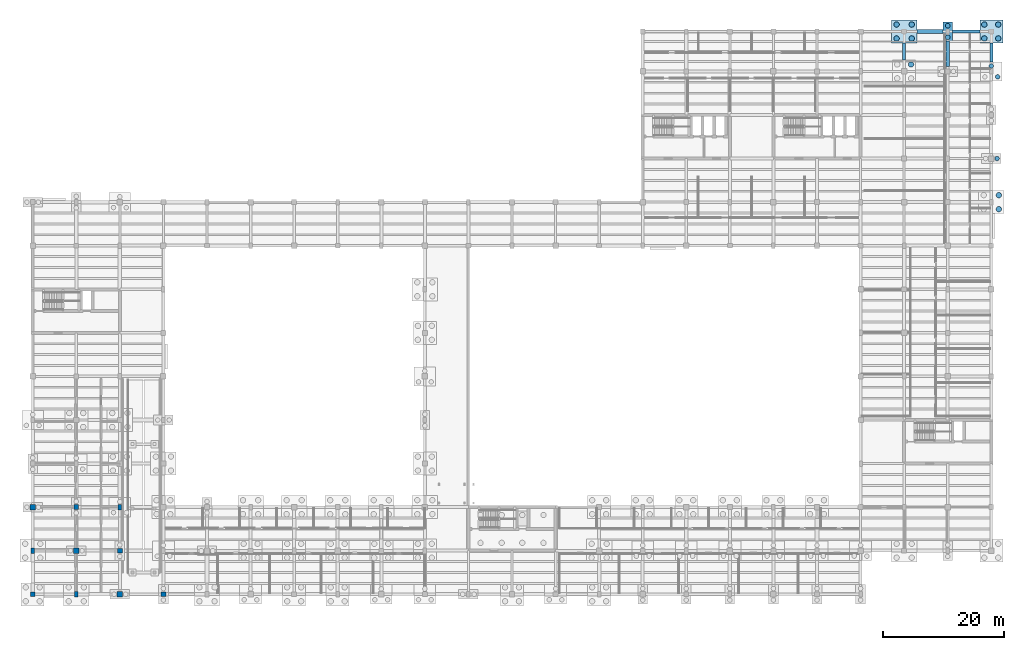
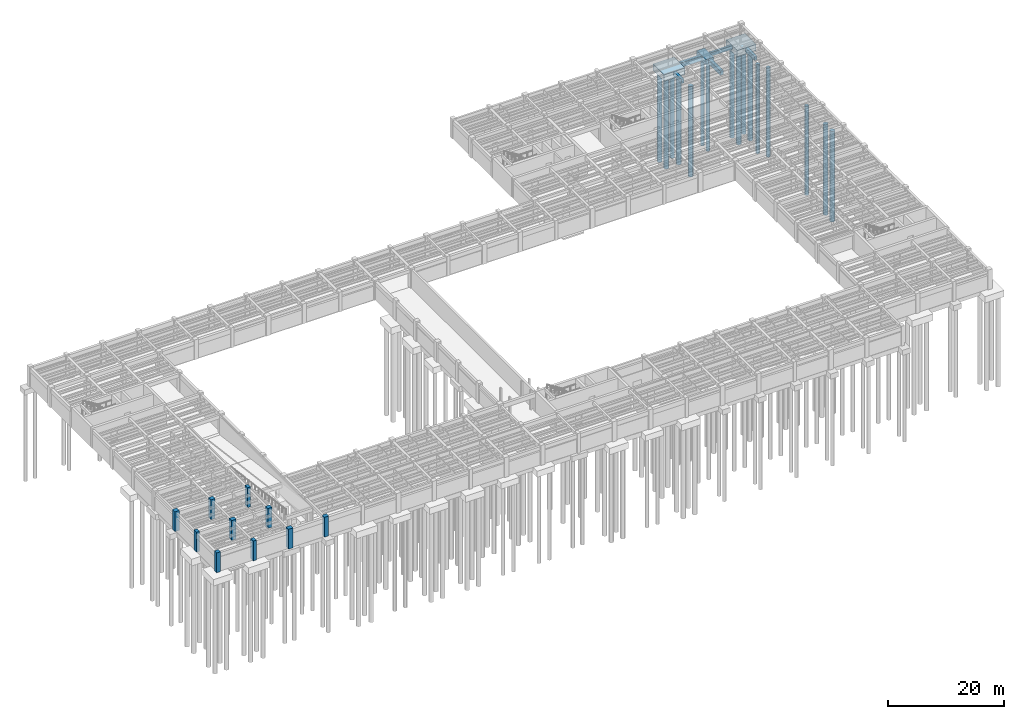
# One storey, part 4 of 33: 16 piles, 10 columns, 8 footings.
"""IFC4 building model written with IfcOpenShell, lengths in metres."""

import ifcopenshell
import ifcopenshell.guid

model = None  # the IFC model being written
_history = None  # IfcOwnerHistory: only IFC2X3 demands one
_inside = {}  # id of a spatial element -> (the spatial element, [elements in it])
_under = {}  # id of a project, library or spatial element -> (it, [spatial elements below it])
_declared = {}  # id of a project -> (the project, [libraries it declares])
_typed = {}  # id of a type object -> (the type object, [elements of that type])
_made_of = {}  # id of a material, layer set ... -> (it, [elements and type objects made of it])


def new_model(schema):
    """Start an empty IFC model of exactly this schema.

    Asked for "IFC4X3", IfcOpenShell would pick the latest addendum, in which some entities
    have other attributes; the version numbers below select the first issue.
    IFC2X3 requires an IfcOwnerHistory on every rooted entity: one is made here for all.
    """
    global model, _history
    if schema == "IFC4X3":
        model = ifcopenshell.file(schema_version=(4, 3, 0, 0))
    else:
        model = ifcopenshell.file(schema=schema)
    _inside.clear()
    _under.clear()
    _declared.clear()
    _typed.clear()
    _made_of.clear()
    _history = None
    if model.schema == "IFC2X3":
        org = make("IfcOrganization", Name="unknown")
        user = make(
            "IfcPersonAndOrganization",
            ThePerson=make("IfcPerson", FamilyName="unknown"),
            TheOrganization=org,
        )
        app = make(
            "IfcApplication",
            ApplicationDeveloper=org,
            Version="unknown",
            ApplicationFullName="unknown",
            ApplicationIdentifier="unknown",
        )
        _history = make(
            "IfcOwnerHistory",
            OwningUser=user,
            OwningApplication=app,
            ChangeAction="ADDED",
            CreationDate=0,
        )
    return model


def make(cls, **values):
    """One entity of the class cls with the attributes given. An attribute that is None is left unset."""
    return model.create_entity(
        cls, **{name: value for name, value in values.items() if value is not None}
    )


def rooted(cls, **values):
    """An entity with a GlobalId (a new one), such as an element, a storey or a relation."""
    return make(cls, GlobalId=ifcopenshell.guid.new(), OwnerHistory=_history, **values)


def si_unit(unit_type, name, prefix=None):
    """IfcSIUnit, for example si_unit("LENGTHUNIT", "METRE", prefix="MILLI")."""
    return make("IfcSIUnit", UnitType=unit_type, Prefix=prefix, Name=name)


def assignment(units):
    """IfcUnitAssignment: the units of a project."""
    return None if units is None else make("IfcUnitAssignment", Units=units)


def point(xyz):
    """IfcCartesianPoint."""
    return None if xyz is None else make("IfcCartesianPoint", Coordinates=xyz)


def direction(xyz):
    """IfcDirection."""
    return None if xyz is None else make("IfcDirection", DirectionRatios=xyz)


def frame(location, z_axis=None, x_axis=None):
    """IfcAxis2Placement3D, a coordinate frame: its origin and axes. An axis left out is left unset."""
    return make(
        "IfcAxis2Placement3D",
        Location=point(location),
        Axis=direction(z_axis),
        RefDirection=direction(x_axis),
    )


def frame_2d(location, x_axis=None):
    """IfcAxis2Placement2D, a coordinate frame in the plane: its origin and x axis."""
    return make(
        "IfcAxis2Placement2D", Location=point(location), RefDirection=direction(x_axis)
    )


def origin():
    """The frame at (0, 0, 0) with its axes left unset."""
    return frame((0.0, 0.0, 0.0))


def origin_2d():
    """The frame at (0, 0) in the plane with its x axis left unset."""
    return frame_2d((0.0, 0.0))


def place(relative_to, where):
    """IfcLocalPlacement: puts the frame where relative to a parent placement (None: the world)."""
    return make(
        "IfcLocalPlacement", PlacementRelTo=relative_to, RelativePlacement=where
    )


def context(
    kind, dimensions, precision=None, world=None, true_north=None, identifier=None
):
    """IfcGeometricRepresentationContext, for example the 3D "Model" context."""
    return make(
        "IfcGeometricRepresentationContext",
        ContextIdentifier=identifier,
        ContextType=kind,
        CoordinateSpaceDimension=dimensions,
        Precision=precision,
        WorldCoordinateSystem=world,
        TrueNorth=true_north,
    )


def subcontext(parent, identifier, kind, view, scale=None):
    """IfcGeometricRepresentationSubContext, for example "Body" below "Model"."""
    return make(
        "IfcGeometricRepresentationSubContext",
        ContextIdentifier=identifier,
        ContextType=kind,
        ParentContext=parent,
        TargetScale=scale,
        TargetView=view,
    )


def project(units=None, contexts=None):
    """IfcProject with its units and contexts."""
    return rooted(
        "IfcProject",
        Name="project",
        RepresentationContexts=contexts,
        UnitsInContext=assignment(units),
    )


def spatial(cls, under=None, at=None, **own):
    """A site, building, storey or space (cls), placed at a placement, below another one or the project."""
    s = rooted(cls, ObjectPlacement=at, **own)
    if under is not None:
        _under.setdefault(under.id(), (under, []))[1].append(s)
    return s


def profile(cls, at=None, kind="AREA", **sizes):
    """A parametric profile (cls). Its sizes go by their IFC names, for example OverallWidth=200.0."""
    return make(cls, ProfileType=kind, Position=at, **sizes)


def rectangle(**sizes):
    """IfcRectangleProfileDef."""
    return profile("IfcRectangleProfileDef", **sizes)


def circle(**sizes):
    """IfcCircleProfileDef."""
    return profile("IfcCircleProfileDef", **sizes)


def extrude(swept, where, along, depth):
    """IfcExtrudedAreaSolid: the profile swept, set in the frame where, extruded along a direction by depth."""
    return make(
        "IfcExtrudedAreaSolid",
        SweptArea=swept,
        Position=where,
        ExtrudedDirection=direction(along),
        Depth=depth,
    )


def shape(context_of_items, identifier, shape_type, items):
    """IfcShapeRepresentation: the items that make up one representation, for example the "Body"."""
    return make(
        "IfcShapeRepresentation",
        ContextOfItems=context_of_items,
        RepresentationIdentifier=identifier,
        RepresentationType=shape_type,
        Items=items,
    )


def material(Name=None, Category=None):
    """IfcMaterial."""
    return make("IfcMaterial", Name=Name, Category=Category)


def material_profile(
    of_material, cross_section, Name=None, Category=None, Priority=None
):
    """IfcMaterialProfile: a cross section and its material."""
    return make(
        "IfcMaterialProfile",
        Name=Name,
        Material=of_material,
        Profile=cross_section,
        Priority=Priority,
        Category=Category,
    )


def profile_set(profiles, Name=None, composite=None):
    """IfcMaterialProfileSet."""
    return make(
        "IfcMaterialProfileSet",
        Name=Name,
        MaterialProfiles=profiles,
        CompositeProfile=composite,
    )


def made_of(thing, what):
    """Note that an element or type object is made of a material, layer set ...; save() writes the relation."""
    if what is not None:
        _made_of.setdefault(what.id(), (what, []))[1].append(thing)
    return thing


def type_object(cls, material=None, **own):
    """A type object (cls), such as IfcWallType, which elements share."""
    return made_of(rooted(cls, **own), material)


def element(
    cls,
    number,
    at=None,
    inside=None,
    cuts=None,
    type_object=None,
    material=None,
    context=None,
    identifier="Body",
    shape_type=None,
    held_by="IfcProductDefinitionShape",
    body=None,
    shapes=None,
    **own,
):
    """One element of the class cls, such as IfcWall. Its Tag is "e" and its number.

    at: its placement. inside: the storey or other place that contains it. cuts: it is an
    opening in that element (IfcRelVoidsElement). A single representation is given by context,
    identifier, shape_type and body (its items); several are given by shapes. held_by: the class
    of the entity that holds the representations. save() writes the other relations.
    """
    e = rooted(cls, Tag="e%d" % number, ObjectPlacement=at, **own)
    if body is not None:
        shapes = [shape(context, identifier, shape_type, body)]
    if shapes is not None:
        e.Representation = make(held_by, Representations=shapes)
    if inside is not None:
        _inside.setdefault(inside.id(), (inside, []))[1].append(e)
    if cuts is not None:
        rooted(
            "IfcRelVoidsElement", RelatingBuildingElement=cuts, RelatedOpeningElement=e
        )
    if type_object is not None:
        _typed.setdefault(type_object.id(), (type_object, []))[1].append(e)
    return made_of(e, material)


def aggregate(whole, parts):
    """IfcRelAggregates: a whole, such as a stair, and the parts it consists of."""
    return rooted("IfcRelAggregates", RelatingObject=whole, RelatedObjects=parts)


def save(model, path):
    """Write the relations noted so far, then the file.

    IfcRelAggregates (storeys below a building ...), IfcRelContainedInSpatialStructure (elements
    in a storey), IfcRelDefinesByType, IfcRelAssociatesMaterial and IfcRelDeclares: one each for
    every whole, place, type object, material and project.
    """
    for whole, parts in _under.values():
        aggregate(whole, parts)
    for where, things in _inside.values():
        rooted(
            "IfcRelContainedInSpatialStructure",
            RelatedElements=things,
            RelatingStructure=where,
        )
    for kind, things in _typed.values():
        rooted("IfcRelDefinesByType", RelatedObjects=things, RelatingType=kind)
    for what, things in _made_of.values():
        rooted("IfcRelAssociatesMaterial", RelatedObjects=things, RelatingMaterial=what)
    for by, libraries in _declared.values():
        rooted("IfcRelDeclares", RelatingContext=by, RelatedDefinitions=libraries)
    model.write(path)


model = new_model("IFC4")

# Units and contexts
model_context = context("Model", 3, precision=1e-05, world=origin(), true_north=direction((0.0, 1.0)))
body_context = subcontext(model_context, "Body", "Model", "MODEL_VIEW")
ifc_project = project(units=[si_unit("LENGTHUNIT", "METRE"), si_unit("AREAUNIT", "SQUARE_METRE"), si_unit("VOLUMEUNIT", "CUBIC_METRE"), si_unit("PLANEANGLEUNIT", "RADIAN"), si_unit("MASSUNIT", "GRAM", prefix="KILO")], contexts=[model_context])

# Site, building, storey
site_placement = place(None, origin())
site = spatial("IfcSite", under=ifc_project, at=site_placement, CompositionType="ELEMENT")
building_placement = place(site_placement, origin())
building = spatial("IfcBuilding", under=site, at=building_placement, Name="Mithqara Police Headquarters", CompositionType="ELEMENT")
storey_placement = place(building_placement, frame((0.0, 0.0, -4.199951171875)))
storey = spatial("IfcBuildingStorey", under=building, at=storey_placement, Name="B1", CompositionType="ELEMENT", Elevation=-4.199951171875)

# Footings
ifc_material_1 = material(Name="Concrete C40/50", Category="concrete")
footing_type_1 = type_object("IfcFootingType", Name="GROUND BEAM 450X750", PredefinedType="FOOTING_BEAM", material=ifc_material_1)
footing_1_placement = place(storey_placement, frame((162.050048828125, 114.0, -0.75), z_axis=(0.0, 0.0, 1.0), x_axis=(1.0, 0.0, 0.0)))
element("IfcFooting", 1, at=footing_1_placement, inside=storey, type_object=footing_type_1, Name="B1 Ground Tie Beam 23-24/S", PredefinedType="FOOTING_BEAM", context=body_context, shape_type="SweptSolid", body=[
    extrude(rectangle(XDim=4.5, YDim=0.449951171875, at=origin_2d()), origin(), (0.0, 0.0, 1.0), 0.75),
])
footing_type_2 = type_object("IfcFootingType", Name="GROUND BEAM 500X850", PredefinedType="FOOTING_BEAM", material=ifc_material_1)
footing_2_placement = place(storey_placement, frame((151.800048828125, 110.699951171875, -0.85009765625), z_axis=(0.0, 0.0, 1.0), x_axis=(1.0, 0.0, 0.0)))
element("IfcFooting", 2, at=footing_2_placement, inside=storey, type_object=footing_type_2, Name="B1 Ground Tie Beam 22/R-S", PredefinedType="FOOTING_BEAM", context=body_context, shape_type="SweptSolid", body=[
    extrude(rectangle(XDim=0.5, YDim=2.800048828125, at=origin_2d()), origin(), (0.0, 0.0, 1.0), 0.85009765625),
])
footing_3_placement = place(storey_placement, frame((166.199951171875, 110.550048828125, -0.85009765625), z_axis=(0.0, 0.0, 1.0), x_axis=(1.0, 0.0, 0.0)))
element("IfcFooting", 3, at=footing_3_placement, inside=storey, type_object=footing_type_2, Name="B1 Ground Tie Beam 24/R-S", PredefinedType="FOOTING_BEAM", context=body_context, shape_type="SweptSolid", body=[
    extrude(rectangle(XDim=0.5, YDim=3.10009765625, at=origin_2d()), origin(), (0.0, 0.0, 1.0), 0.85009765625),
])
footing_type_3 = type_object("IfcFootingType", Name="GROUND BEAM 600X950", PredefinedType="FOOTING_BEAM", material=ifc_material_1)
footing_4_placement = place(storey_placement, frame((156.050048828125, 114.0, -0.9501953125), z_axis=(0.0, 0.0, 1.0), x_axis=(1.0, 0.0, 0.0)))
element("IfcFooting", 4, at=footing_4_placement, inside=storey, type_object=footing_type_3, Name="B1 Ground Tie Beam 22-23/S", PredefinedType="FOOTING_BEAM", context=body_context, shape_type="SweptSolid", body=[
    extrude(rectangle(XDim=4.300048828125, YDim=0.60009765625, at=origin_2d()), origin(), (0.0, 0.0, 1.0), 0.949951171875),
])
footing_5_placement = place(storey_placement, frame((159.0, 110.300048828125, -0.9501953125), z_axis=(0.0, 0.0, 1.0), x_axis=(1.0, 0.0, 0.0)))
element("IfcFooting", 5, at=footing_5_placement, inside=storey, type_object=footing_type_3, Name="B1 Ground Tie Beam 23/R-S", PredefinedType="FOOTING_BEAM", context=body_context, shape_type="SweptSolid", body=[
    extrude(rectangle(XDim=0.60009765625, YDim=4.199951171875, at=origin_2d()), origin(), (0.0, 0.0, 1.0), 0.949951171875),
])
footing_type_4 = type_object("IfcFootingType", Name="PILE CAP 2P 1600X3200X1100", PredefinedType="PILE_CAP", material=ifc_material_1)
footing_6_placement = place(storey_placement, frame((159.0, 114.0, -1.10009765625), z_axis=(0.0, 0.0, 1.0), x_axis=(1.0, 0.0, 0.0)))
element("IfcFooting", 6, at=footing_6_placement, inside=storey, type_object=footing_type_4, Name="B1 Pile Cap 23/S", PredefinedType="PILE_CAP", context=body_context, shape_type="SweptSolid", body=[
    extrude(rectangle(XDim=1.60009765625, YDim=3.199951171875, at=origin_2d()), origin(), (0.0, 0.0, 1.0), 1.10009765625),
])
footing_type_5 = type_object("IfcFootingType", Name="PILE CAP 4P 3800X3800X1350", PredefinedType="PILE_CAP", material=ifc_material_1)
footing_7_placement = place(storey_placement, frame((166.199951171875, 114.0, -1.35009765625), z_axis=(0.0, 0.0, 1.0), x_axis=(1.0, 0.0, 0.0)))
element("IfcFooting", 7, at=footing_7_placement, inside=storey, type_object=footing_type_5, Name="B1 Pile Cap 24/S", PredefinedType="PILE_CAP", context=body_context, shape_type="SweptSolid", body=[
    extrude(rectangle(XDim=3.800048828125, YDim=3.800048828125, at=origin_2d()), origin(), (0.0, 0.0, 1.0), 1.35009765625),
])
footing_type_6 = type_object("IfcFootingType", Name="PILE CAP 4P 4200X3800X1400", PredefinedType="PILE_CAP", material=ifc_material_1)
footing_8_placement = place(storey_placement, frame((151.800048828125, 114.0, -1.39990234375), z_axis=(0.0, 0.0, 1.0), x_axis=(1.0, 0.0, 0.0)))
element("IfcFooting", 8, at=footing_8_placement, inside=storey, type_object=footing_type_6, Name="B1 Pile Cap 22/S", PredefinedType="PILE_CAP", context=body_context, shape_type="SweptSolid", body=[
    extrude(rectangle(XDim=4.199951171875, YDim=3.800048828125, at=origin_2d()), origin(), (0.0, 0.0, 1.0), 1.39990234375),
])

# Piles
ifc_material_profile_1 = material_profile(ifc_material_1, circle(Radius=0.375, at=origin_2d()), Name="PILE D750")
ifc_profile_set_1 = profile_set([ifc_material_profile_1], Name="Concrete C40/50")
pile_type_1 = type_object("IfcPileType", Name="PILE D750 18M", PredefinedType="BORED", material=ifc_profile_set_1)
for number, where, z_axis, x_axis, name in (
    (9, (159.0, 113.050048828125, -0.949951171875), (0.0, 0.0, -1.0), (1.0, 0.0, 0.0), "Bored Pile 23/S-1"),
    (10, (159.0, 114.949951171875, -0.949951171875), (0.0, 0.0, -1.0), (1.0, 0.0, 0.0), "Bored Pile 23/S-2"),
    (11, (167.14990234375, 93.0, -0.949951171875), (0.0, 0.0, -1.0), (1.0, 0.0, 0.0), "Bored Pile 24/P-2"),
    (12, (167.25, 106.5, -1.10009765625), (0.0, 0.0, -1.0), (1.0, 0.0, 0.0), "Bored Pile 24/R-2"),
    (13, (166.199951171875, 108.300048828125, -1.10009765625), (0.0, 0.0, -1.0), (1.0, 0.0, 0.0), "Bored Pile 24/R-3"),
):
    element("IfcPile", number, at=place(storey_placement, frame(where, z_axis=z_axis, x_axis=x_axis)), inside=storey, type_object=pile_type_1, Name=name, PredefinedType="BORED", context=body_context, shape_type="SweptSolid", body=[
        extrude(circle(Radius=0.375, at=origin_2d()), origin(), (0.0, 0.0, 1.0), 18.85009765625),
    ])
ifc_material_profile_2 = material_profile(ifc_material_1, circle(Radius=0.449951171875, at=origin_2d()), Name="PILE D900")
ifc_profile_set_2 = profile_set([ifc_material_profile_2], Name="Concrete C40/50")
pile_type_2 = type_object("IfcPileType", Name="PILE D900 19M", PredefinedType="BORED", material=ifc_profile_set_2)
for number, where, z_axis, x_axis, name in (
    (14, (152.949951171875, 108.550048828125, -1.199951171875), (0.0, 0.0, -1.0), (1.0, 0.0, 0.0), "Bored Pile 22/R-4"),
    (15, (150.550048828125, 112.85009765625, -1.25), (0.0, 0.0, -1.0), (1.0, 0.0, 0.0), "Bored Pile 22/S-1"),
    (16, (153.050048828125, 112.85009765625, -1.25), (0.0, 0.0, -1.0), (1.0, 0.0, 0.0), "Bored Pile 22/S-2"),
    (17, (150.550048828125, 115.14990234375, -1.25), (0.0, 0.0, -1.0), (1.0, 0.0, 0.0), "Bored Pile 22/S-3"),
    (18, (153.050048828125, 115.14990234375, -1.25), (0.0, 0.0, -1.0), (1.0, 0.0, 0.0), "Bored Pile 22/S-4"),
    (19, (167.449951171875, 84.64990234375, -1.25), (0.0, 0.0, -1.0), (1.0, 0.0, 0.0), "Bored Pile 24/N-2"),
    (20, (167.449951171875, 86.949951171875, -1.25), (0.0, 0.0, -1.0), (1.0, 0.0, 0.0), "Bored Pile 24/N-4"),
    (21, (165.050048828125, 112.85009765625, -1.199951171875), (0.0, 0.0, -1.0), (1.0, 0.0, 0.0), "Bored Pile 24/S-1"),
    (22, (167.35009765625, 112.85009765625, -1.199951171875), (0.0, 0.0, -1.0), (1.0, 0.0, 0.0), "Bored Pile 24/S-2"),
    (23, (165.050048828125, 115.14990234375, -1.199951171875), (0.0, 0.0, -1.0), (1.0, 0.0, 0.0), "Bored Pile 24/S-3"),
    (24, (167.35009765625, 115.14990234375, -1.199951171875), (0.0, 0.0, -1.0), (1.0, 0.0, 0.0), "Bored Pile 24/S-4"),
):
    element("IfcPile", number, at=place(storey_placement, frame(where, z_axis=z_axis, x_axis=x_axis)), inside=storey, type_object=pile_type_2, Name=name, PredefinedType="BORED", context=body_context, shape_type="SweptSolid", body=[
        extrude(circle(Radius=0.449951171875, at=origin_2d()), origin(), (0.0, 0.0, 1.0), 19.14990234375),
    ])

# Columns
ifc_material_2 = material(Name="Concrete C50/60", Category="concrete")
ifc_material_profile_3 = material_profile(ifc_material_2, rectangle(XDim=0.60009765625, YDim=0.89990234375, at=origin_2d()), Name="RC 600x900")
ifc_profile_set_3 = profile_set([ifc_material_profile_3], Name="Concrete C50/60")
column_type_1 = type_object("IfcColumnType", Name="COLUMN RC600X900", PredefinedType="COLUMN", material=ifc_profile_set_3)
for number, where, z_axis, x_axis, name in (
    (25, (7.800048828125, 28.199951171875, 0.0), (0.0, 0.0, 1.0), (1.0, 0.0, 0.0), "B1 Column 2/E"),
    (26, (15.0, 21.0, 0.0), (0.0, 0.0, 1.0), (1.0, 0.0, 0.0), "B1 Column 3/D"),
    (27, (22.199951171875, 35.39990234375, 0.0), (0.0, 0.0, 1.0), (1.0, 0.0, 0.0), "B1 Column 4/F"),
):
    element("IfcColumn", number, at=place(storey_placement, frame(where, z_axis=z_axis, x_axis=x_axis)), inside=storey, type_object=column_type_1, Name=name, PredefinedType="COLUMN", context=body_context, shape_type="SweptSolid", body=[
        extrude(rectangle(XDim=0.60009765625, YDim=0.89990234375, at=origin_2d()), origin(), (0.0, 0.0, 1.0), 4.199951171875),
    ])
ifc_material_profile_4 = material_profile(ifc_material_2, rectangle(XDim=0.800048828125, YDim=0.800048828125, at=origin_2d()), Name="RC 800x800")
ifc_profile_set_4 = profile_set([ifc_material_profile_4], Name="Concrete C50/60")
column_type_2 = type_object("IfcColumnType", Name="COLUMN RC800", PredefinedType="COLUMN", material=ifc_profile_set_4)
for number, where, z_axis, x_axis, name in (
    (28, (7.800048828125, 21.0, 0.0), (0.0, 0.0, 1.0), (1.0, 0.0, 0.0), "B1 Column 2/D"),
    (29, (15.0, 35.39990234375, 0.0), (0.0, 0.0, 1.0), (1.0, 0.0, 0.0), "B1 Column 3/F"),
    (30, (22.199951171875, 28.199951171875, 0.0), (0.0, 0.0, 1.0), (1.0, 0.0, 0.0), "B1 Column 4/E"),
    (31, (29.39990234375, 21.0, 0.0), (0.0, 0.0, 1.0), (1.0, 0.0, 0.0), "B1 Column 5/D"),
):
    element("IfcColumn", number, at=place(storey_placement, frame(where, z_axis=z_axis, x_axis=x_axis)), inside=storey, type_object=column_type_2, Name=name, PredefinedType="COLUMN", context=body_context, shape_type="SweptSolid", body=[
        extrude(rectangle(XDim=0.800048828125, YDim=0.800048828125, at=origin_2d()), origin(), (0.0, 0.0, 1.0), 4.199951171875),
    ])
ifc_material_profile_5 = material_profile(ifc_material_2, rectangle(XDim=0.89990234375, YDim=0.89990234375, at=origin_2d()), Name="RC 900x900")
ifc_profile_set_5 = profile_set([ifc_material_profile_5], Name="Concrete C50/60")
column_type_3 = type_object("IfcColumnType", Name="COLUMN RC900", PredefinedType="COLUMN", material=ifc_profile_set_5)
for number, where, z_axis, x_axis, name in (
    (32, (7.800048828125, 35.39990234375, 0.0), (0.0, 0.0, 1.0), (1.0, 0.0, 0.0), "B1 Column 2/F"),
    (33, (15.0, 28.199951171875, 0.0), (0.0, 0.0, 1.0), (1.0, 0.0, 0.0), "B1 Column 3/E"),
    (34, (22.199951171875, 21.0, 0.0), (0.0, 0.0, 1.0), (1.0, 0.0, 0.0), "B1 Column 4/D"),
):
    element("IfcColumn", number, at=place(storey_placement, frame(where, z_axis=z_axis, x_axis=x_axis)), inside=storey, type_object=column_type_3, Name=name, PredefinedType="COLUMN", context=body_context, shape_type="SweptSolid", body=[
        extrude(rectangle(XDim=0.89990234375, YDim=0.89990234375, at=origin_2d()), origin(), (0.0, 0.0, 1.0), 4.199951171875),
    ])

save(model, "model.ifc")
